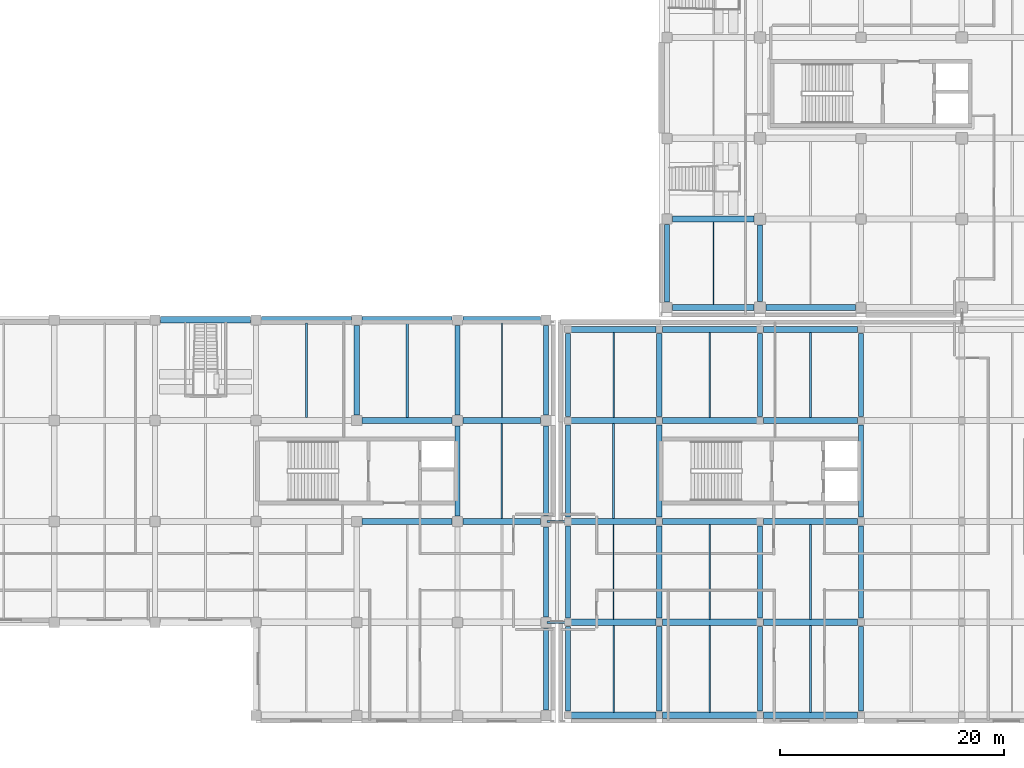
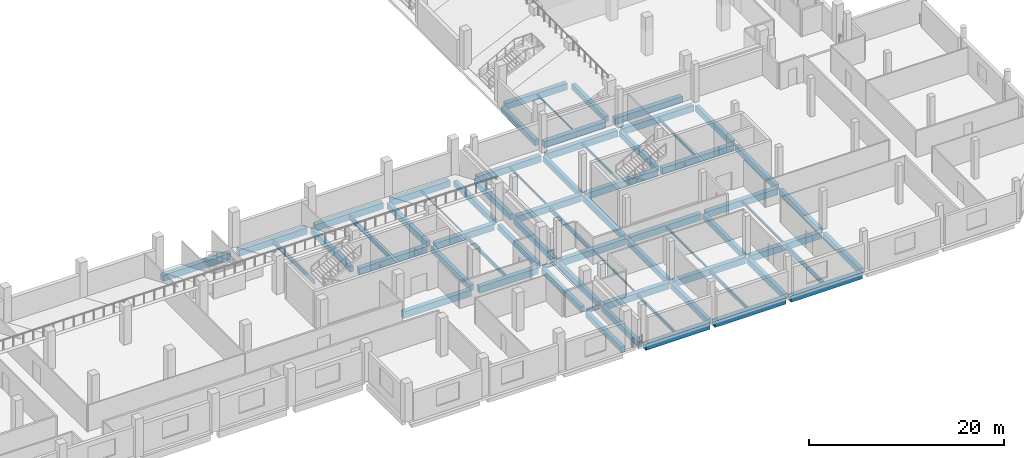
# One storey, part 20 of 100: 67 beams.
"""IFC4 building model written with IfcOpenShell, lengths in metres."""

from ifc_helpers import new_model, si_unit, direction, frame, origin, origin_2d, place, context, subcontext, project, spatial, rectangle, hollow_rectangle, i_section, extrude, material, material_profile, profile_set, type_object, element, save


model = new_model("IFC4")

# Units and contexts
model_context = context("Model", 3, precision=1e-05, world=origin(), true_north=direction((0.0, 1.0)))
body_context = subcontext(model_context, "Body", "Model", "MODEL_VIEW")
ifc_project = project(units=[si_unit("LENGTHUNIT", "METRE"), si_unit("AREAUNIT", "SQUARE_METRE"), si_unit("VOLUMEUNIT", "CUBIC_METRE"), si_unit("PLANEANGLEUNIT", "RADIAN"), si_unit("MASSUNIT", "GRAM", prefix="KILO"), si_unit("THERMODYNAMICTEMPERATUREUNIT", "KELVIN"), si_unit("POWERUNIT", "WATT")], contexts=[model_context])

# Site, building, storey
site_placement = place(None, origin())
site = spatial("IfcSite", under=ifc_project, at=site_placement, CompositionType="ELEMENT")
building_placement = place(site_placement, origin())
building = spatial("IfcBuilding", under=site, at=building_placement, Name="Sindhuravela Promenade Stadium", CompositionType="ELEMENT")
storey_placement = place(building_placement, frame((0.0, 0.0, 4.800048828125)))
storey = spatial("IfcBuildingStorey", under=building, at=storey_placement, Name="L01", CompositionType="ELEMENT", Elevation=4.800048828125)

# Beams
ifc_material_1 = material(Name="Concrete M40", Category="concrete")
ifc_material_profile_1 = material_profile(ifc_material_1, rectangle(XDim=0.449951171875, YDim=0.699951171875, at=origin_2d()), Name="RC 450x700")
ifc_profile_set_1 = profile_set([ifc_material_profile_1], Name="Concrete M40")
beam_type_1 = type_object("IfcBeamType", Name="RC-BM-450x700", PredefinedType="BEAM", material=ifc_profile_set_1)
beam_1_placement = place(storey_placement, frame((171.699951171875, 37.590087890625, -0.650146484375), z_axis=(0.0, 1.0, 0.0), x_axis=(-1.0, 0.0, 0.0)))
element("IfcBeam", 1, at=beam_1_placement, inside=storey, type_object=beam_type_1, Name="Primary beam GB07 EAST L01", PredefinedType="BEAM", context=body_context, shape_type="SweptSolid", body=[
    extrude(rectangle(XDim=0.449951171875, YDim=0.699951171875, at=origin_2d()), origin(), (0.0, 0.0, 1.0), 6.919921875),
])
beam_2_placement = place(storey_placement, frame((180.0, 37.639892578125, -0.650146484375), z_axis=(0.0, 1.0, 0.0), x_axis=(-1.0, 0.0, 0.0)))
element("IfcBeam", 2, at=beam_2_placement, inside=storey, type_object=beam_type_1, Name="Primary beam GB07 EAST L01", PredefinedType="BEAM", context=body_context, shape_type="SweptSolid", body=[
    extrude(rectangle(XDim=0.449951171875, YDim=0.699951171875, at=origin_2d()), origin(), (0.0, 0.0, 1.0), 6.820068359375),
])
for number, where, z_axis, x_axis, name in (
    (3, (144.0, 27.489990234375, -0.650146484375), (0.0, 1.0, 0.0), (-1.0, 0.0, 0.0), "Primary beam GB07 SOUTH L01"),
    (4, (153.0, 18.489990234375, -0.650146484375), (0.0, 1.0, 0.0), (-1.0, 0.0, 0.0), "Primary beam GB07 SOUTH L01"),
    (5, (153.0, 27.489990234375, -0.650146484375), (0.0, 1.0, 0.0), (-1.0, 0.0, 0.0), "Primary beam GB07 SOUTH L01"),
):
    element("IfcBeam", number, at=place(storey_placement, frame(where, z_axis=z_axis, x_axis=x_axis)), inside=storey, type_object=beam_type_1, Name=name, PredefinedType="BEAM", context=body_context, shape_type="SweptSolid", body=[
        extrude(rectangle(XDim=0.449951171875, YDim=0.699951171875, at=origin_2d()), origin(), (0.0, 0.0, 1.0), 8.02001953125),
    ])
beam_3_placement = place(storey_placement, frame((160.89990234375, 1.18994140625, -0.650146484375), z_axis=(0.0, 1.0, 0.0), x_axis=(-1.0, 0.0, 0.0)))
element("IfcBeam", 6, at=beam_3_placement, inside=storey, type_object=beam_type_1, Name="Primary beam GB07 SOUTH L01", PredefinedType="BEAM", context=body_context, shape_type="SweptSolid", body=[
    extrude(rectangle(XDim=0.449951171875, YDim=0.699951171875, at=origin_2d()), origin(), (0.0, 0.0, 1.0), 7.320068359375),
])
for number, where, z_axis, x_axis, name in (
    (7, (160.89990234375, 9.489990234375, -0.650146484375), (0.0, 1.0, 0.0), (-1.0, 0.0, 0.0), "Primary beam GB07 SOUTH L01"),
    (8, (160.89990234375, 18.489990234375, -0.650146484375), (0.0, 1.0, 0.0), (-1.0, 0.0, 0.0), "Primary beam GB07 SOUTH L01"),
    (9, (160.89990234375, 27.489990234375, -0.650146484375), (0.0, 1.0, 0.0), (-1.0, 0.0, 0.0), "Primary beam GB07 SOUTH L01"),
):
    element("IfcBeam", number, at=place(storey_placement, frame(where, z_axis=z_axis, x_axis=x_axis)), inside=storey, type_object=beam_type_1, Name=name, PredefinedType="BEAM", context=body_context, shape_type="SweptSolid", body=[
        extrude(rectangle(XDim=0.449951171875, YDim=0.699951171875, at=origin_2d()), origin(), (0.0, 0.0, 1.0), 8.02001953125),
    ])
beam_4_placement = place(storey_placement, frame((162.85009765625, 1.090087890625, -0.650146484375), z_axis=(0.0, 1.0, 0.0), x_axis=(-1.0, 0.0, 0.0)))
element("IfcBeam", 10, at=beam_4_placement, inside=storey, type_object=beam_type_1, Name="Primary beam GB07 Pavilion SE L01", PredefinedType="BEAM", context=body_context, shape_type="SweptSolid", body=[
    extrude(rectangle(XDim=0.449951171875, YDim=0.699951171875, at=origin_2d()), origin(), (0.0, 0.0, 1.0), 7.52001953125),
])
for number, where, z_axis, x_axis, name in (
    (11, (162.85009765625, 9.389892578125, -0.650146484375), (0.0, 1.0, 0.0), (-1.0, 0.0, 0.0), "Primary beam GB07 Pavilion SE L01"),
    (12, (162.85009765625, 18.389892578125, -0.650146484375), (0.0, 1.0, 0.0), (-1.0, 0.0, 0.0), "Primary beam GB07 Pavilion SE L01"),
):
    element("IfcBeam", number, at=place(storey_placement, frame(where, z_axis=z_axis, x_axis=x_axis)), inside=storey, type_object=beam_type_1, Name=name, PredefinedType="BEAM", context=body_context, shape_type="SweptSolid", body=[
        extrude(rectangle(XDim=0.449951171875, YDim=0.699951171875, at=origin_2d()), origin(), (0.0, 0.0, 1.0), 8.22021484375),
    ])
beam_5_placement = place(storey_placement, frame((162.85009765625, 27.389892578125, -0.650146484375), z_axis=(0.0, 1.0, 0.0), x_axis=(-1.0, 0.0, 0.0)))
element("IfcBeam", 13, at=beam_5_placement, inside=storey, type_object=beam_type_1, Name="Primary beam GB07 Pavilion SE L01", PredefinedType="BEAM", context=body_context, shape_type="SweptSolid", body=[
    extrude(rectangle(XDim=0.449951171875, YDim=0.699951171875, at=origin_2d()), origin(), (0.0, 0.0, 1.0), 7.3701171875),
])
beam_6_placement = place(storey_placement, frame((171.0, 1.090087890625, -0.650146484375), z_axis=(0.0, 1.0, 0.0), x_axis=(-1.0, 0.0, 0.0)))
element("IfcBeam", 14, at=beam_6_placement, inside=storey, type_object=beam_type_1, Name="Primary beam GB07 Pavilion SE L01", PredefinedType="BEAM", context=body_context, shape_type="SweptSolid", body=[
    extrude(rectangle(XDim=0.449951171875, YDim=0.699951171875, at=origin_2d()), origin(), (0.0, 0.0, 1.0), 7.52001953125),
])
for number, where, z_axis, x_axis, name in (
    (15, (171.0, 9.389892578125, -0.650146484375), (0.0, 1.0, 0.0), (-1.0, 0.0, 0.0), "Primary beam GB07 Pavilion SE L01"),
    (16, (171.0, 18.389892578125, -0.650146484375), (0.0, 1.0, 0.0), (-1.0, 0.0, 0.0), "Primary beam GB07 Pavilion SE L01"),
):
    element("IfcBeam", number, at=place(storey_placement, frame(where, z_axis=z_axis, x_axis=x_axis)), inside=storey, type_object=beam_type_1, Name=name, PredefinedType="BEAM", context=body_context, shape_type="SweptSolid", body=[
        extrude(rectangle(XDim=0.449951171875, YDim=0.699951171875, at=origin_2d()), origin(), (0.0, 0.0, 1.0), 8.22021484375),
    ])
beam_7_placement = place(storey_placement, frame((171.0, 27.389892578125, -0.650146484375), z_axis=(0.0, 1.0, 0.0), x_axis=(-1.0, 0.0, 0.0)))
element("IfcBeam", 17, at=beam_7_placement, inside=storey, type_object=beam_type_1, Name="Primary beam GB07 Pavilion SE L01", PredefinedType="BEAM", context=body_context, shape_type="SweptSolid", body=[
    extrude(rectangle(XDim=0.449951171875, YDim=0.699951171875, at=origin_2d()), origin(), (0.0, 0.0, 1.0), 7.3701171875),
])
beam_8_placement = place(storey_placement, frame((180.0, 1.090087890625, -0.650146484375), z_axis=(0.0, 1.0, 0.0), x_axis=(-1.0, 0.0, 0.0)))
element("IfcBeam", 18, at=beam_8_placement, inside=storey, type_object=beam_type_1, Name="Primary beam GB07 Pavilion SE L01", PredefinedType="BEAM", context=body_context, shape_type="SweptSolid", body=[
    extrude(rectangle(XDim=0.449951171875, YDim=0.699951171875, at=origin_2d()), origin(), (0.0, 0.0, 1.0), 7.52001953125),
])
beam_9_placement = place(storey_placement, frame((180.0, 9.389892578125, -0.650146484375), z_axis=(0.0, 1.0, 0.0), x_axis=(-1.0, 0.0, 0.0)))
element("IfcBeam", 19, at=beam_9_placement, inside=storey, type_object=beam_type_1, Name="Primary beam GB07 Pavilion SE L01", PredefinedType="BEAM", context=body_context, shape_type="SweptSolid", body=[
    extrude(rectangle(XDim=0.449951171875, YDim=0.699951171875, at=origin_2d()), origin(), (0.0, 0.0, 1.0), 8.22021484375),
])
beam_10_placement = place(storey_placement, frame((180.0, 27.389892578125, -0.650146484375), z_axis=(0.0, 1.0, 0.0), x_axis=(-1.0, 0.0, 0.0)))
element("IfcBeam", 20, at=beam_10_placement, inside=storey, type_object=beam_type_1, Name="Primary beam GB07 Pavilion SE L01", PredefinedType="BEAM", context=body_context, shape_type="SweptSolid", body=[
    extrude(rectangle(XDim=0.449951171875, YDim=0.699951171875, at=origin_2d()), origin(), (0.0, 0.0, 1.0), 7.3701171875),
])
beam_11_placement = place(storey_placement, frame((189.0, 1.090087890625, -0.650146484375), z_axis=(0.0, 1.0, 0.0), x_axis=(-1.0, 0.0, 0.0)))
element("IfcBeam", 21, at=beam_11_placement, inside=storey, type_object=beam_type_1, Name="Primary beam GB07 Pavilion SE L01", PredefinedType="BEAM", context=body_context, shape_type="SweptSolid", body=[
    extrude(rectangle(XDim=0.449951171875, YDim=0.699951171875, at=origin_2d()), origin(), (0.0, 0.0, 1.0), 7.52001953125),
])
for number, where, z_axis, x_axis, name in (
    (22, (189.0, 9.389892578125, -0.650146484375), (0.0, 1.0, 0.0), (-1.0, 0.0, 0.0), "Primary beam GB07 Pavilion SE L01"),
    (23, (189.0, 18.389892578125, -0.650146484375), (0.0, 1.0, 0.0), (-1.0, 0.0, 0.0), "Primary beam GB07 Pavilion SE L01"),
):
    element("IfcBeam", number, at=place(storey_placement, frame(where, z_axis=z_axis, x_axis=x_axis)), inside=storey, type_object=beam_type_1, Name=name, PredefinedType="BEAM", context=body_context, shape_type="SweptSolid", body=[
        extrude(rectangle(XDim=0.449951171875, YDim=0.699951171875, at=origin_2d()), origin(), (0.0, 0.0, 1.0), 8.22021484375),
    ])
beam_12_placement = place(storey_placement, frame((189.0, 27.389892578125, -0.650146484375), z_axis=(0.0, 1.0, 0.0), x_axis=(-1.0, 0.0, 0.0)))
element("IfcBeam", 24, at=beam_12_placement, inside=storey, type_object=beam_type_1, Name="Primary beam GB07 Pavilion SE L01", PredefinedType="BEAM", context=body_context, shape_type="SweptSolid", body=[
    extrude(rectangle(XDim=0.449951171875, YDim=0.699951171875, at=origin_2d()), origin(), (0.0, 0.0, 1.0), 7.3701171875),
])
ifc_material_profile_2 = material_profile(ifc_material_1, rectangle(XDim=0.550048828125, YDim=0.800048828125, at=origin_2d()), Name="RC 550x800")
ifc_profile_set_2 = profile_set([ifc_material_profile_2], Name="Concrete M40")
beam_type_2 = type_object("IfcBeamType", Name="RC-BM-550x800", PredefinedType="BEAM", material=ifc_profile_set_2)
beam_13_placement = place(storey_placement, frame((172.18994140625, 37.10009765625, -0.699951171875), z_axis=(1.0, 0.0, 0.0), x_axis=(0.0, 1.0, 0.0)))
element("IfcBeam", 25, at=beam_13_placement, inside=storey, type_object=beam_type_2, Name="Primary girder GB05 EAST L01", PredefinedType="BEAM", context=body_context, shape_type="SweptSolid", body=[
    extrude(rectangle(XDim=0.550048828125, YDim=0.800048828125, at=origin_2d()), origin(), (0.0, 0.0, 1.0), 7.27001953125),
])
beam_14_placement = place(storey_placement, frame((180.5400390625, 37.10009765625, -0.699951171875), z_axis=(1.0, 0.0, 0.0), x_axis=(0.0, 1.0, 0.0)))
element("IfcBeam", 26, at=beam_14_placement, inside=storey, type_object=beam_type_2, Name="Primary girder GB05 EAST L01", PredefinedType="BEAM", context=body_context, shape_type="SweptSolid", body=[
    extrude(rectangle(XDim=0.550048828125, YDim=0.800048828125, at=origin_2d()), origin(), (0.0, 0.0, 1.0), 7.969970703125),
])
beam_15_placement = place(storey_placement, frame((172.18994140625, 45.0, -0.699951171875), z_axis=(1.0, 0.0, 0.0), x_axis=(0.0, 1.0, 0.0)))
element("IfcBeam", 27, at=beam_15_placement, inside=storey, type_object=beam_type_2, Name="Primary girder GB05 EAST L01", PredefinedType="BEAM", context=body_context, shape_type="SweptSolid", body=[
    extrude(rectangle(XDim=0.550048828125, YDim=0.800048828125, at=origin_2d()), origin(), (0.0, 0.0, 1.0), 7.27001953125),
])
beam_16_placement = place(storey_placement, frame((144.489990234375, 18.0, -0.699951171875), z_axis=(1.0, 0.0, 0.0), x_axis=(0.0, 1.0, 0.0)))
element("IfcBeam", 28, at=beam_16_placement, inside=storey, type_object=beam_type_2, Name="Primary girder GB05 SOUTH L01", PredefinedType="BEAM", context=body_context, shape_type="SweptSolid", body=[
    extrude(rectangle(XDim=0.550048828125, YDim=0.800048828125, at=origin_2d()), origin(), (0.0, 0.0, 1.0), 8.02001953125),
])
beam_17_placement = place(storey_placement, frame((153.489990234375, 18.0, -0.699951171875), z_axis=(1.0, 0.0, 0.0), x_axis=(0.0, 1.0, 0.0)))
element("IfcBeam", 29, at=beam_17_placement, inside=storey, type_object=beam_type_2, Name="Primary girder GB05 SOUTH L01", PredefinedType="BEAM", context=body_context, shape_type="SweptSolid", body=[
    extrude(rectangle(XDim=0.550048828125, YDim=0.800048828125, at=origin_2d()), origin(), (0.0, 0.0, 1.0), 6.919921875),
])
beam_18_placement = place(storey_placement, frame((144.489990234375, 27.0, -0.699951171875), z_axis=(1.0, 0.0, 0.0), x_axis=(0.0, 1.0, 0.0)))
element("IfcBeam", 30, at=beam_18_placement, inside=storey, type_object=beam_type_2, Name="Primary girder GB05 SOUTH L01", PredefinedType="BEAM", context=body_context, shape_type="SweptSolid", body=[
    extrude(rectangle(XDim=0.550048828125, YDim=0.800048828125, at=origin_2d()), origin(), (0.0, 0.0, 1.0), 8.02001953125),
])
beam_19_placement = place(storey_placement, frame((153.489990234375, 27.0, -0.699951171875), z_axis=(1.0, 0.0, 0.0), x_axis=(0.0, 1.0, 0.0)))
element("IfcBeam", 31, at=beam_19_placement, inside=storey, type_object=beam_type_2, Name="Primary girder GB05 SOUTH L01", PredefinedType="BEAM", context=body_context, shape_type="SweptSolid", body=[
    extrude(rectangle(XDim=0.550048828125, YDim=0.800048828125, at=origin_2d()), origin(), (0.0, 0.0, 1.0), 6.919921875),
])
for number, where, z_axis, x_axis, name in (
    (32, (126.489990234375, 36.0, -0.699951171875), (1.0, 0.0, 0.0), (0.0, 1.0, 0.0), "Primary girder GB05 SOUTH L01"),
    (33, (135.489990234375, 36.0, -0.699951171875), (1.0, 0.0, 0.0), (0.0, 1.0, 0.0), "Primary girder GB05 SOUTH L01"),
    (34, (144.489990234375, 36.0, -0.699951171875), (1.0, 0.0, 0.0), (0.0, 1.0, 0.0), "Primary girder GB05 SOUTH L01"),
):
    element("IfcBeam", number, at=place(storey_placement, frame(where, z_axis=z_axis, x_axis=x_axis)), inside=storey, type_object=beam_type_2, Name=name, PredefinedType="BEAM", context=body_context, shape_type="SweptSolid", body=[
        extrude(rectangle(XDim=0.550048828125, YDim=0.800048828125, at=origin_2d()), origin(), (0.0, 0.0, 1.0), 8.02001953125),
    ])
beam_20_placement = place(storey_placement, frame((153.489990234375, 36.0, -0.699951171875), z_axis=(1.0, 0.0, 0.0), x_axis=(0.0, 1.0, 0.0)))
element("IfcBeam", 35, at=beam_20_placement, inside=storey, type_object=beam_type_2, Name="Primary girder GB05 SOUTH L01", PredefinedType="BEAM", context=body_context, shape_type="SweptSolid", body=[
    extrude(rectangle(XDim=0.550048828125, YDim=0.800048828125, at=origin_2d()), origin(), (0.0, 0.0, 1.0), 6.919921875),
])
beam_21_placement = place(storey_placement, frame((163.139892578125, 0.699951171875, -0.699951171875), z_axis=(1.0, 0.0, 0.0), x_axis=(0.0, 1.0, 0.0)))
element("IfcBeam", 36, at=beam_21_placement, inside=storey, type_object=beam_type_2, Name="Primary girder GB05 Pavilion SE L01", PredefinedType="BEAM", context=body_context, shape_type="SweptSolid", body=[
    extrude(rectangle(XDim=0.550048828125, YDim=0.800048828125, at=origin_2d()), origin(), (0.0, 0.0, 1.0), 7.570068359375),
])
for number, where, z_axis, x_axis, name in (
    (37, (171.2900390625, 0.699951171875, -0.699951171875), (1.0, 0.0, 0.0), (0.0, 1.0, 0.0), "Primary girder GB05 Pavilion SE L01"),
    (38, (180.2900390625, 0.699951171875, -0.699951171875), (1.0, 0.0, 0.0), (0.0, 1.0, 0.0), "Primary girder GB05 Pavilion SE L01"),
):
    element("IfcBeam", number, at=place(storey_placement, frame(where, z_axis=z_axis, x_axis=x_axis)), inside=storey, type_object=beam_type_2, Name=name, PredefinedType="BEAM", context=body_context, shape_type="SweptSolid", body=[
        extrude(rectangle(XDim=0.550048828125, YDim=0.800048828125, at=origin_2d()), origin(), (0.0, 0.0, 1.0), 8.419921875),
    ])
beam_22_placement = place(storey_placement, frame((163.139892578125, 9.0, -0.699951171875), z_axis=(1.0, 0.0, 0.0), x_axis=(0.0, 1.0, 0.0)))
element("IfcBeam", 39, at=beam_22_placement, inside=storey, type_object=beam_type_2, Name="Primary girder GB05 Pavilion SE L01", PredefinedType="BEAM", context=body_context, shape_type="SweptSolid", body=[
    extrude(rectangle(XDim=0.550048828125, YDim=0.800048828125, at=origin_2d()), origin(), (0.0, 0.0, 1.0), 7.570068359375),
])
for number, where, z_axis, x_axis, name in (
    (40, (171.2900390625, 9.0, -0.699951171875), (1.0, 0.0, 0.0), (0.0, 1.0, 0.0), "Primary girder GB05 Pavilion SE L01"),
    (41, (180.2900390625, 9.0, -0.699951171875), (1.0, 0.0, 0.0), (0.0, 1.0, 0.0), "Primary girder GB05 Pavilion SE L01"),
):
    element("IfcBeam", number, at=place(storey_placement, frame(where, z_axis=z_axis, x_axis=x_axis)), inside=storey, type_object=beam_type_2, Name=name, PredefinedType="BEAM", context=body_context, shape_type="SweptSolid", body=[
        extrude(rectangle(XDim=0.550048828125, YDim=0.800048828125, at=origin_2d()), origin(), (0.0, 0.0, 1.0), 8.419921875),
    ])
beam_23_placement = place(storey_placement, frame((163.139892578125, 18.0, -0.699951171875), z_axis=(1.0, 0.0, 0.0), x_axis=(0.0, 1.0, 0.0)))
element("IfcBeam", 42, at=beam_23_placement, inside=storey, type_object=beam_type_2, Name="Primary girder GB05 Pavilion SE L01", PredefinedType="BEAM", context=body_context, shape_type="SweptSolid", body=[
    extrude(rectangle(XDim=0.550048828125, YDim=0.800048828125, at=origin_2d()), origin(), (0.0, 0.0, 1.0), 7.570068359375),
])
for number, where, z_axis, x_axis, name in (
    (43, (171.2900390625, 18.0, -0.699951171875), (1.0, 0.0, 0.0), (0.0, 1.0, 0.0), "Primary girder GB05 Pavilion SE L01"),
    (44, (180.2900390625, 18.0, -0.699951171875), (1.0, 0.0, 0.0), (0.0, 1.0, 0.0), "Primary girder GB05 Pavilion SE L01"),
):
    element("IfcBeam", number, at=place(storey_placement, frame(where, z_axis=z_axis, x_axis=x_axis)), inside=storey, type_object=beam_type_2, Name=name, PredefinedType="BEAM", context=body_context, shape_type="SweptSolid", body=[
        extrude(rectangle(XDim=0.550048828125, YDim=0.800048828125, at=origin_2d()), origin(), (0.0, 0.0, 1.0), 8.419921875),
    ])
beam_24_placement = place(storey_placement, frame((163.139892578125, 27.0, -0.699951171875), z_axis=(1.0, 0.0, 0.0), x_axis=(0.0, 1.0, 0.0)))
element("IfcBeam", 45, at=beam_24_placement, inside=storey, type_object=beam_type_2, Name="Primary girder GB05 Pavilion SE L01", PredefinedType="BEAM", context=body_context, shape_type="SweptSolid", body=[
    extrude(rectangle(XDim=0.550048828125, YDim=0.800048828125, at=origin_2d()), origin(), (0.0, 0.0, 1.0), 7.570068359375),
])
for number, where, z_axis, x_axis, name in (
    (46, (171.2900390625, 27.0, -0.699951171875), (1.0, 0.0, 0.0), (0.0, 1.0, 0.0), "Primary girder GB05 Pavilion SE L01"),
    (47, (180.2900390625, 27.0, -0.699951171875), (1.0, 0.0, 0.0), (0.0, 1.0, 0.0), "Primary girder GB05 Pavilion SE L01"),
):
    element("IfcBeam", number, at=place(storey_placement, frame(where, z_axis=z_axis, x_axis=x_axis)), inside=storey, type_object=beam_type_2, Name=name, PredefinedType="BEAM", context=body_context, shape_type="SweptSolid", body=[
        extrude(rectangle(XDim=0.550048828125, YDim=0.800048828125, at=origin_2d()), origin(), (0.0, 0.0, 1.0), 8.419921875),
    ])
beam_25_placement = place(storey_placement, frame((163.139892578125, 35.14990234375, -0.699951171875), z_axis=(1.0, 0.0, 0.0), x_axis=(0.0, 1.0, 0.0)))
element("IfcBeam", 48, at=beam_25_placement, inside=storey, type_object=beam_type_2, Name="Primary girder GB05 Pavilion SE L01", PredefinedType="BEAM", context=body_context, shape_type="SweptSolid", body=[
    extrude(rectangle(XDim=0.550048828125, YDim=0.800048828125, at=origin_2d()), origin(), (0.0, 0.0, 1.0), 7.570068359375),
])
for number, where, z_axis, x_axis, name in (
    (49, (171.2900390625, 35.14990234375, -0.699951171875), (1.0, 0.0, 0.0), (0.0, 1.0, 0.0), "Primary girder GB05 Pavilion SE L01"),
    (50, (180.2900390625, 35.14990234375, -0.699951171875), (1.0, 0.0, 0.0), (0.0, 1.0, 0.0), "Primary girder GB05 Pavilion SE L01"),
):
    element("IfcBeam", number, at=place(storey_placement, frame(where, z_axis=z_axis, x_axis=x_axis)), inside=storey, type_object=beam_type_2, Name=name, PredefinedType="BEAM", context=body_context, shape_type="SweptSolid", body=[
        extrude(rectangle(XDim=0.550048828125, YDim=0.800048828125, at=origin_2d()), origin(), (0.0, 0.0, 1.0), 8.419921875),
    ])
ifc_material_2 = material(Name="Steel E350 (IS 2062 E350BR)", Category="steel")
ifc_material_profile_3 = material_profile(ifc_material_2, hollow_rectangle(XDim=0.10009765625, YDim=0.199951171875, WallThickness=0.008056640625, at=origin_2d()), Name="RHS 200x100x8")
ifc_profile_set_3 = profile_set([ifc_material_profile_3], Name="Steel E350 (IS 2062 E350BR)")
beam_type_3 = type_object("IfcBeamType", Name="ST-BM-LNT200", PredefinedType="LINTEL", material=ifc_profile_set_3)
beam_26_placement = place(storey_placement, frame((156.949951171875, 27.264892578125, -0.400146484375), z_axis=(0.0, 1.0, 0.0), x_axis=(-1.0, 0.0, 0.0)))
element("IfcBeam", 51, at=beam_26_placement, inside=storey, type_object=beam_type_3, Name="Secondary floor joist LN01 SOUTH L01", PredefinedType="LINTEL", context=body_context, shape_type="SweptSolid", body=[
    extrude(hollow_rectangle(XDim=0.10009765625, YDim=0.199951171875, WallThickness=0.008056640625, at=origin_2d()), origin(), (0.0, 0.0, 1.0), 8.47021484375),
])
ifc_material_profile_4 = material_profile(ifc_material_2, i_section(OverallWidth=0.10009765625, OverallDepth=0.199951171875, WebThickness=0.005615234375, FlangeThickness=0.0107421875, FilletRadius=0.010986328125, at=origin_2d()), Name="ISMB 200")
ifc_profile_set_4 = profile_set([ifc_material_profile_4], Name="Steel E350 (IS 2062 E350BR)")
beam_type_4 = type_object("IfcBeamType", Name="ST-BM-MB200", PredefinedType="JOIST", material=ifc_profile_set_4)
beam_27_placement = place(storey_placement, frame((175.85009765625, 37.364990234375, -0.400146484375), z_axis=(0.0, 1.0, 0.0), x_axis=(-1.0, 0.0, 0.0)))
element("IfcBeam", 52, at=beam_27_placement, inside=storey, type_object=beam_type_4, Name="Secondary floor joist SB01 EAST L01", PredefinedType="JOIST", context=body_context, shape_type="SweptSolid", body=[
    extrude(i_section(OverallWidth=0.10009765625, OverallDepth=0.199951171875, WebThickness=0.005615234375, FlangeThickness=0.0107421875, FilletRadius=0.010986328125, at=origin_2d()), origin(), (0.0, 0.0, 1.0), 7.3701171875),
])
beam_28_placement = place(storey_placement, frame((166.925048828125, 9.264892578125, -0.400146484375), z_axis=(0.0, 1.0, 0.0), x_axis=(-1.0, 0.0, 0.0)))
element("IfcBeam", 53, at=beam_28_placement, inside=storey, type_object=beam_type_4, Name="Secondary floor joist SB01 Pavilion SE L01", PredefinedType="JOIST", context=body_context, shape_type="SweptSolid", body=[
    extrude(i_section(OverallWidth=0.10009765625, OverallDepth=0.199951171875, WebThickness=0.005615234375, FlangeThickness=0.0107421875, FilletRadius=0.010986328125, at=origin_2d()), origin(), (0.0, 0.0, 1.0), 8.47021484375),
])
ifc_material_profile_5 = material_profile(ifc_material_2, i_section(OverallWidth=0.125, OverallDepth=0.25, WebThickness=0.0068359375, FlangeThickness=0.012451171875, FilletRadius=0.012939453125, at=origin_2d()), Name="ISMB 250")
ifc_profile_set_5 = profile_set([ifc_material_profile_5], Name="Steel E350 (IS 2062 E350BR)")
beam_type_5 = type_object("IfcBeamType", Name="ST-BM-MB250", PredefinedType="JOIST", material=ifc_profile_set_5)
beam_29_placement = place(storey_placement, frame((175.5, 9.264892578125, -0.425048828125), z_axis=(0.0, 1.0, 0.0), x_axis=(-1.0, 0.0, 0.0)))
element("IfcBeam", 54, at=beam_29_placement, inside=storey, type_object=beam_type_5, Name="Secondary floor joist SB02 Pavilion SE L01", PredefinedType="JOIST", context=body_context, shape_type="SweptSolid", body=[
    extrude(i_section(OverallWidth=0.125, OverallDepth=0.25, WebThickness=0.0068359375, FlangeThickness=0.012451171875, FilletRadius=0.012939453125, at=origin_2d()), origin(), (0.0, 0.0, 1.0), 8.47021484375),
])
beam_30_placement = place(storey_placement, frame((166.925048828125, 27.264892578125, -0.425048828125), z_axis=(0.0, 1.0, 0.0), x_axis=(-1.0, 0.0, 0.0)))
element("IfcBeam", 55, at=beam_30_placement, inside=storey, type_object=beam_type_5, Name="Secondary floor joist SB02 Pavilion SE L01", PredefinedType="JOIST", context=body_context, shape_type="SweptSolid", body=[
    extrude(i_section(OverallWidth=0.125, OverallDepth=0.25, WebThickness=0.0068359375, FlangeThickness=0.012451171875, FilletRadius=0.012939453125, at=origin_2d()), origin(), (0.0, 0.0, 1.0), 7.6201171875),
])
ifc_material_profile_6 = material_profile(ifc_material_2, i_section(OverallWidth=0.139892578125, OverallDepth=0.300048828125, WebThickness=0.0078125, FlangeThickness=0.01318359375, FilletRadius=0.013916015625, at=origin_2d()), Name="ISMB 300")
ifc_profile_set_6 = profile_set([ifc_material_profile_6], Name="Steel E350 (IS 2062 E350BR)")
beam_type_6 = type_object("IfcBeamType", Name="ST-BM-MB300", PredefinedType="JOIST", material=ifc_profile_set_6)
beam_31_placement = place(storey_placement, frame((184.5, 9.264892578125, -0.449951171875), z_axis=(0.0, 1.0, 0.0), x_axis=(-1.0, 0.0, 0.0)))
element("IfcBeam", 56, at=beam_31_placement, inside=storey, type_object=beam_type_6, Name="Secondary floor joist SB03 Pavilion SE L01", PredefinedType="JOIST", context=body_context, shape_type="SweptSolid", body=[
    extrude(i_section(OverallWidth=0.139892578125, OverallDepth=0.300048828125, WebThickness=0.0078125, FlangeThickness=0.01318359375, FilletRadius=0.013916015625, at=origin_2d()), origin(), (0.0, 0.0, 1.0), 8.47021484375),
])
beam_32_placement = place(storey_placement, frame((175.5, 27.264892578125, -0.449951171875), z_axis=(0.0, 1.0, 0.0), x_axis=(-1.0, 0.0, 0.0)))
element("IfcBeam", 57, at=beam_32_placement, inside=storey, type_object=beam_type_6, Name="Secondary floor joist SB03 Pavilion SE L01", PredefinedType="JOIST", context=body_context, shape_type="SweptSolid", body=[
    extrude(i_section(OverallWidth=0.139892578125, OverallDepth=0.300048828125, WebThickness=0.0078125, FlangeThickness=0.01318359375, FilletRadius=0.013916015625, at=origin_2d()), origin(), (0.0, 0.0, 1.0), 7.6201171875),
])
ifc_material_profile_7 = material_profile(ifc_material_2, i_section(OverallWidth=0.139892578125, OverallDepth=0.35009765625, WebThickness=0.008056640625, FlangeThickness=0.01416015625, FilletRadius=0.013916015625, at=origin_2d()), Name="ISMB 350")
ifc_profile_set_7 = profile_set([ifc_material_profile_7], Name="Steel E350 (IS 2062 E350BR)")
beam_type_7 = type_object("IfcBeamType", Name="ST-BM-MB350", PredefinedType="JOIST", material=ifc_profile_set_7)
beam_33_placement = place(storey_placement, frame((184.5, 27.264892578125, -0.47509765625), z_axis=(0.0, 1.0, 0.0), x_axis=(-1.0, 0.0, 0.0)))
element("IfcBeam", 58, at=beam_33_placement, inside=storey, type_object=beam_type_7, Name="Secondary floor joist SB04 Pavilion SE L01", PredefinedType="JOIST", context=body_context, shape_type="SweptSolid", body=[
    extrude(i_section(OverallWidth=0.139892578125, OverallDepth=0.35009765625, WebThickness=0.008056640625, FlangeThickness=0.01416015625, FilletRadius=0.013916015625, at=origin_2d()), origin(), (0.0, 0.0, 1.0), 7.6201171875),
])
ifc_material_profile_8 = material_profile(ifc_material_2, i_section(OverallWidth=0.139892578125, OverallDepth=0.39990234375, WebThickness=0.0087890625, FlangeThickness=0.01611328125, FilletRadius=0.013916015625, at=origin_2d()), Name="ISMB 400")
ifc_profile_set_8 = profile_set([ifc_material_profile_8], Name="Steel E350 (IS 2062 E350BR)")
beam_type_8 = type_object("IfcBeamType", Name="ST-BM-MB400", PredefinedType="BEAM", material=ifc_profile_set_8)
beam_34_placement = place(storey_placement, frame((166.925048828125, 0.965087890625, -0.5), z_axis=(0.0, 1.0, 0.0), x_axis=(-1.0, 0.0, 0.0)))
element("IfcBeam", 59, at=beam_34_placement, inside=storey, type_object=beam_type_8, Name="Secondary floor joist SB05 Pavilion SE L01", PredefinedType="BEAM", context=body_context, shape_type="SweptSolid", body=[
    extrude(i_section(OverallWidth=0.139892578125, OverallDepth=0.39990234375, WebThickness=0.0087890625, FlangeThickness=0.01611328125, FilletRadius=0.013916015625, at=origin_2d()), origin(), (0.0, 0.0, 1.0), 7.77001953125),
])
ifc_material_profile_9 = material_profile(ifc_material_2, i_section(OverallWidth=0.14990234375, OverallDepth=0.449951171875, WebThickness=0.009521484375, FlangeThickness=0.017333984375, FilletRadius=0.014892578125, at=origin_2d()), Name="ISMB 450")
ifc_profile_set_9 = profile_set([ifc_material_profile_9], Name="Steel E350 (IS 2062 E350BR)")
beam_type_9 = type_object("IfcBeamType", Name="ST-BM-MB450", PredefinedType="BEAM", material=ifc_profile_set_9)
beam_35_placement = place(storey_placement, frame((156.949951171875, 18.264892578125, -0.525146484375), z_axis=(0.0, 1.0, 0.0), x_axis=(-1.0, 0.0, 0.0)))
element("IfcBeam", 60, at=beam_35_placement, inside=storey, type_object=beam_type_9, Name="Secondary floor joist SB06 SOUTH L01", PredefinedType="BEAM", context=body_context, shape_type="SweptSolid", body=[
    extrude(i_section(OverallWidth=0.14990234375, OverallDepth=0.449951171875, WebThickness=0.009521484375, FlangeThickness=0.017333984375, FilletRadius=0.014892578125, at=origin_2d()), origin(), (0.0, 0.0, 1.0), 8.47021484375),
])
beam_36_placement = place(storey_placement, frame((175.5, 0.965087890625, -0.525146484375), z_axis=(0.0, 1.0, 0.0), x_axis=(-1.0, 0.0, 0.0)))
element("IfcBeam", 61, at=beam_36_placement, inside=storey, type_object=beam_type_9, Name="Secondary floor joist SB06 Pavilion SE L01", PredefinedType="BEAM", context=body_context, shape_type="SweptSolid", body=[
    extrude(i_section(OverallWidth=0.14990234375, OverallDepth=0.449951171875, WebThickness=0.009521484375, FlangeThickness=0.017333984375, FilletRadius=0.014892578125, at=origin_2d()), origin(), (0.0, 0.0, 1.0), 7.77001953125),
])
ifc_material_profile_10 = material_profile(ifc_material_2, i_section(OverallWidth=0.179931640625, OverallDepth=0.5, WebThickness=0.01025390625, FlangeThickness=0.01708984375, FilletRadius=0.01708984375, at=origin_2d()), Name="ISMB 500")
ifc_profile_set_10 = profile_set([ifc_material_profile_10], Name="Steel E350 (IS 2062 E350BR)")
beam_type_10 = type_object("IfcBeamType", Name="ST-BM-MB500", PredefinedType="BEAM", material=ifc_profile_set_10)
for number, where, z_axis, x_axis, name in (
    (62, (161.0, 9.0, -0.610107421875), (1.0, 0.0, 0.0), (0.0, 1.0, 0.0), "Concourse link bridge L01 South-SE PTFE sliding girder B"),
    (63, (161.0, 18.0, -0.610107421875), (1.0, 0.0, 0.0), (0.0, 1.0, 0.0), "Concourse link bridge L01 South-SE PTFE sliding girder T"),
):
    element("IfcBeam", number, at=place(storey_placement, frame(where, z_axis=z_axis, x_axis=x_axis)), inside=storey, type_object=beam_type_10, Name=name, PredefinedType="BEAM", context=body_context, shape_type="SweptSolid", body=[
        extrude(i_section(OverallWidth=0.179931640625, OverallDepth=0.5, WebThickness=0.01025390625, FlangeThickness=0.01708984375, FilletRadius=0.01708984375, at=origin_2d()), origin(), (0.0, 0.0, 1.0), 1.75),
    ])
ifc_material_profile_11 = material_profile(ifc_material_2, i_section(OverallWidth=0.18994140625, OverallDepth=0.550048828125, WebThickness=0.01123046875, FlangeThickness=0.019287109375, FilletRadius=0.01806640625, at=origin_2d()), Name="ISMB 550")
ifc_profile_set_11 = profile_set([ifc_material_profile_11], Name="Steel E350 (IS 2062 E350BR)")
beam_type_11 = type_object("IfcBeamType", Name="ST-BM-MB550", PredefinedType="SPANDREL", material=ifc_profile_set_11)
beam_37_placement = place(storey_placement, frame((139.5, 27.264892578125, -0.574951171875), z_axis=(0.0, 1.0, 0.0), x_axis=(-1.0, 0.0, 0.0)))
element("IfcBeam", 64, at=beam_37_placement, inside=storey, type_object=beam_type_11, Name="Secondary floor joist SB08 SOUTH L01", PredefinedType="SPANDREL", context=body_context, shape_type="SweptSolid", body=[
    extrude(i_section(OverallWidth=0.18994140625, OverallDepth=0.550048828125, WebThickness=0.01123046875, FlangeThickness=0.019287109375, FilletRadius=0.01806640625, at=origin_2d()), origin(), (0.0, 0.0, 1.0), 8.47021484375),
])
beam_38_placement = place(storey_placement, frame((184.5, 0.965087890625, -0.574951171875), z_axis=(0.0, 1.0, 0.0), x_axis=(-1.0, 0.0, 0.0)))
element("IfcBeam", 65, at=beam_38_placement, inside=storey, type_object=beam_type_11, Name="Secondary floor joist SB08 Pavilion SE L01", PredefinedType="SPANDREL", context=body_context, shape_type="SweptSolid", body=[
    extrude(i_section(OverallWidth=0.18994140625, OverallDepth=0.550048828125, WebThickness=0.01123046875, FlangeThickness=0.019287109375, FilletRadius=0.01806640625, at=origin_2d()), origin(), (0.0, 0.0, 1.0), 7.77001953125),
])
beam_39_placement = place(storey_placement, frame((166.925048828125, 18.264892578125, -0.574951171875), z_axis=(0.0, 1.0, 0.0), x_axis=(-1.0, 0.0, 0.0)))
element("IfcBeam", 66, at=beam_39_placement, inside=storey, type_object=beam_type_11, Name="Secondary floor joist SB08 Pavilion SE L01", PredefinedType="SPANDREL", context=body_context, shape_type="SweptSolid", body=[
    extrude(i_section(OverallWidth=0.18994140625, OverallDepth=0.550048828125, WebThickness=0.01123046875, FlangeThickness=0.019287109375, FilletRadius=0.01806640625, at=origin_2d()), origin(), (0.0, 0.0, 1.0), 8.47021484375),
])
ifc_material_profile_12 = material_profile(ifc_material_2, i_section(OverallWidth=0.2099609375, OverallDepth=0.60009765625, WebThickness=0.011962890625, FlangeThickness=0.020751953125, FilletRadius=0.02001953125, at=origin_2d()), Name="ISMB 600")
ifc_profile_set_12 = profile_set([ifc_material_profile_12], Name="Steel E350 (IS 2062 E350BR)")
beam_type_12 = type_object("IfcBeamType", Name="ST-BM-MB600", PredefinedType="BEAM", material=ifc_profile_set_12)
beam_40_placement = place(storey_placement, frame((148.5, 27.264892578125, -0.60009765625), z_axis=(0.0, 1.0, 0.0), x_axis=(-1.0, 0.0, 0.0)))
element("IfcBeam", 67, at=beam_40_placement, inside=storey, type_object=beam_type_12, Name="Secondary floor joist SB09 SOUTH L01", PredefinedType="BEAM", context=body_context, shape_type="SweptSolid", body=[
    extrude(i_section(OverallWidth=0.2099609375, OverallDepth=0.60009765625, WebThickness=0.011962890625, FlangeThickness=0.020751953125, FilletRadius=0.02001953125, at=origin_2d()), origin(), (0.0, 0.0, 1.0), 8.47021484375),
])

save(model, "model.ifc")
